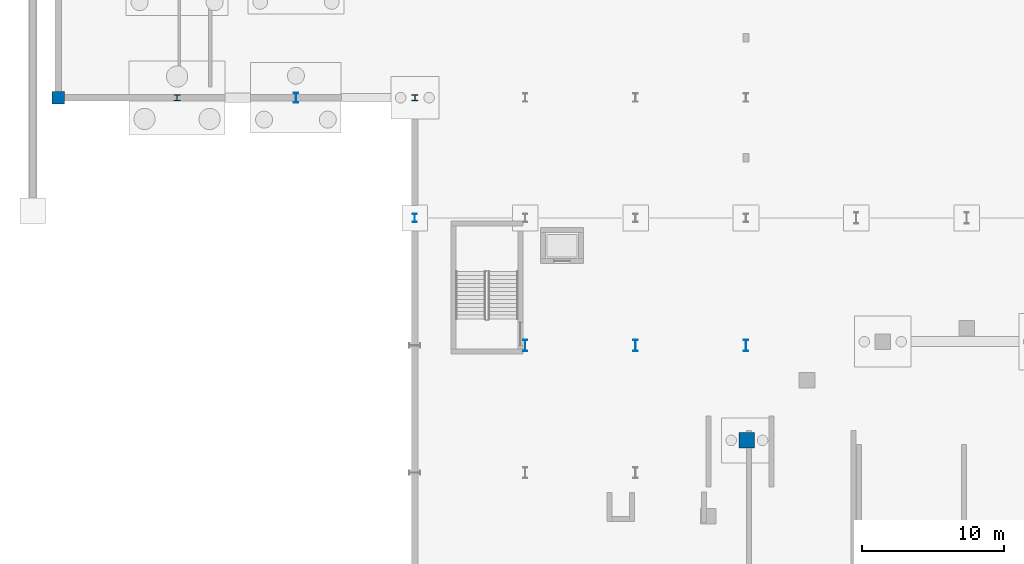
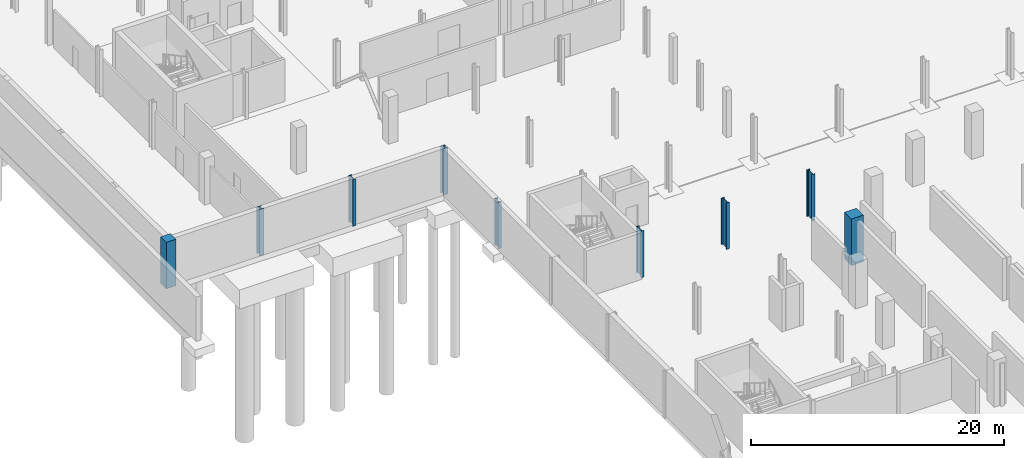
# One storey, part 5 of 45: 9 columns.
"""IFC4 building model written with IfcOpenShell, lengths in metres."""

from ifc_helpers import new_model, si_unit, direction, frame, origin, origin_2d, place, context, subcontext, project, spatial, rectangle, i_section, extrude, material, material_profile, profile_set, type_object, element, save


model = new_model("IFC4")

# Units and contexts
model_context = context("Model", 3, precision=1e-05, world=origin(), true_north=direction((0.0, 1.0)))
body_context = subcontext(model_context, "Body", "Model", "MODEL_VIEW")
ifc_project = project(units=[si_unit("LENGTHUNIT", "METRE"), si_unit("AREAUNIT", "SQUARE_METRE"), si_unit("VOLUMEUNIT", "CUBIC_METRE"), si_unit("PLANEANGLEUNIT", "RADIAN"), si_unit("MASSUNIT", "GRAM", prefix="KILO")], contexts=[model_context])

# Site, building, storey
site_placement = place(None, origin())
site = spatial("IfcSite", under=ifc_project, at=site_placement, CompositionType="ELEMENT")
building_placement = place(site_placement, origin())
building = spatial("IfcBuilding", under=site, at=building_placement, Name="Sefraquen Railside Congress Hotel", CompositionType="ELEMENT")
storey_placement = place(building_placement, frame((0.0, 0.0, -4.5)))
storey = spatial("IfcBuildingStorey", under=building, at=storey_placement, Name="B01", CompositionType="ELEMENT", Elevation=-4.5)

# Columns
ifc_material_1 = material(Name="Steel S355J2", Category="steel")
ifc_material_profile_1 = material_profile(ifc_material_1, i_section(OverallWidth=0.416015625, OverallDepth=0.446044921875, WebThickness=0.035888671875, FlangeThickness=0.048095703125, FilletRadius=0.014892578125, at=origin_2d()), Name="HD 400x509")
ifc_profile_set_1 = profile_set([ifc_material_profile_1], Name="Steel S355J2")
column_type_1 = type_object("IfcColumnType", Name="TC-HD-509", PredefinedType="COLUMN", material=ifc_profile_set_1)
for number, where, z_axis, x_axis, name in (
    (1, (8.39990234375, 62.5, 0.0), (0.0, 0.0, 1.0), (1.0, 0.0, 0.0), "Structural column 2-H B01"),
    (2, (25.199951171875, 62.5, 0.0), (0.0, 0.0, 1.0), (1.0, 0.0, 0.0), "Structural column 4-H B01"),
):
    element("IfcColumn", number, at=place(storey_placement, frame(where, z_axis=z_axis, x_axis=x_axis)), inside=storey, type_object=column_type_1, Name=name, PredefinedType="COLUMN", context=body_context, shape_type="SweptSolid", body=[
        extrude(i_section(OverallWidth=0.416015625, OverallDepth=0.446044921875, WebThickness=0.035888671875, FlangeThickness=0.048095703125, FilletRadius=0.014892578125, at=origin_2d()), origin(), (0.0, 0.0, 1.0), 4.5),
    ])
ifc_material_2 = material(Name="Steel S355JR", Category="steel")
ifc_material_profile_2 = material_profile(ifc_material_2, i_section(OverallWidth=0.300048828125, OverallDepth=0.60009765625, WebThickness=0.015380859375, FlangeThickness=0.030029296875, FilletRadius=0.027099609375, at=origin_2d()), Name="HEB 600")
ifc_profile_set_2 = profile_set([ifc_material_profile_2], Name="Steel S355JR")
column_type_2 = type_object("IfcColumnType", Name="TC-HEB-600", PredefinedType="COLUMN", material=ifc_profile_set_2)
column_1_placement = place(storey_placement, frame((25.199951171875, 54.0, 0.0), z_axis=(0.0, 0.0, 1.0), x_axis=(1.0, 0.0, 0.0)))
element("IfcColumn", 3, at=column_1_placement, inside=storey, type_object=column_type_2, Name="Structural column 4-G B01", PredefinedType="COLUMN", context=body_context, shape_type="SweptSolid", body=[
    extrude(i_section(OverallWidth=0.300048828125, OverallDepth=0.60009765625, WebThickness=0.015380859375, FlangeThickness=0.030029296875, FilletRadius=0.027099609375, at=origin_2d()), origin(), (0.0, 0.0, 1.0), 4.5),
])
ifc_material_profile_3 = material_profile(ifc_material_2, i_section(OverallWidth=0.300048828125, OverallDepth=0.699951171875, WebThickness=0.01708984375, FlangeThickness=0.031982421875, FilletRadius=0.027099609375, at=origin_2d()), Name="HEB 700")
ifc_profile_set_3 = profile_set([ifc_material_profile_3], Name="Steel S355JR")
column_type_3 = type_object("IfcColumnType", Name="TC-HEB-700", PredefinedType="COLUMN", material=ifc_profile_set_3)
column_2_placement = place(storey_placement, frame((16.800048828125, 62.5, 0.0), z_axis=(0.0, 0.0, 1.0), x_axis=(1.0, 0.0, 0.0)))
element("IfcColumn", 4, at=column_2_placement, inside=storey, type_object=column_type_3, Name="Structural column 3-H B01", PredefinedType="COLUMN", context=body_context, shape_type="SweptSolid", body=[
    extrude(i_section(OverallWidth=0.300048828125, OverallDepth=0.699951171875, WebThickness=0.01708984375, FlangeThickness=0.031982421875, FilletRadius=0.027099609375, at=origin_2d()), origin(), (0.0, 0.0, 1.0), 4.5),
])
ifc_material_profile_4 = material_profile(ifc_material_2, i_section(OverallWidth=0.300048828125, OverallDepth=0.800048828125, WebThickness=0.017578125, FlangeThickness=0.032958984375, FilletRadius=0.030029296875, at=origin_2d()), Name="HEB 800")
ifc_profile_set_4 = profile_set([ifc_material_profile_4], Name="Steel S355JR")
column_type_4 = type_object("IfcColumnType", Name="TC-HEB-800", PredefinedType="COLUMN", material=ifc_profile_set_4)
for number, where, z_axis, x_axis, name in (
    (5, (33.0, 45.0, 0.0), (0.0, 0.0, 1.0), (1.0, 0.0, 0.0), "Structural column 5-F B01"),
    (6, (40.800048828125, 45.0, 0.0), (0.0, 0.0, 1.0), (1.0, 0.0, 0.0), "Structural column 6-F B01"),
    (7, (48.60009765625, 45.0, 0.0), (0.0, 0.0, 1.0), (1.0, 0.0, 0.0), "Structural column 7-F B01"),
):
    element("IfcColumn", number, at=place(storey_placement, frame(where, z_axis=z_axis, x_axis=x_axis)), inside=storey, type_object=column_type_4, Name=name, PredefinedType="COLUMN", context=body_context, shape_type="SweptSolid", body=[
        extrude(i_section(OverallWidth=0.300048828125, OverallDepth=0.800048828125, WebThickness=0.017578125, FlangeThickness=0.032958984375, FilletRadius=0.030029296875, at=origin_2d()), origin(), (0.0, 0.0, 1.0), 4.5),
    ])
ifc_material_3 = material(Name="Concrete C50/60", Category="concrete")
ifc_material_profile_5 = material_profile(ifc_material_3, rectangle(XDim=1.10009765625, YDim=1.10009765625, at=origin_2d()), Name="RC 1100x1100")
ifc_profile_set_5 = profile_set([ifc_material_profile_5], Name="Concrete C50/60")
column_type_5 = type_object("IfcColumnType", Name="TC-RC-1100", PredefinedType="COLUMN", material=ifc_profile_set_5)
column_3_placement = place(storey_placement, frame((48.6669921875, 38.285400390625, 0.0), z_axis=(0.0, 0.0, 1.0), x_axis=(1.0, 0.0, 0.0)))
element("IfcColumn", 8, at=column_3_placement, inside=storey, type_object=column_type_5, Name="Structural column DRM-09 B01", PredefinedType="COLUMN", context=body_context, shape_type="SweptSolid", body=[
    extrude(rectangle(XDim=1.10009765625, YDim=1.10009765625, at=origin_2d()), origin(), (0.0, 0.0, 1.0), 4.5),
])
ifc_material_profile_6 = material_profile(ifc_material_3, rectangle(XDim=0.89990234375, YDim=0.89990234375, at=origin_2d()), Name="RC 900x900")
ifc_profile_set_6 = profile_set([ifc_material_profile_6], Name="Concrete C50/60")
column_type_6 = type_object("IfcColumnType", Name="TC-RC-900", PredefinedType="COLUMN", material=ifc_profile_set_6)
column_4_placement = place(storey_placement, frame((0.0, 62.5, 0.0), z_axis=(0.0, 0.0, 1.0), x_axis=(1.0, 0.0, 0.0)))
element("IfcColumn", 9, at=column_4_placement, inside=storey, type_object=column_type_6, Name="Structural column 1-H B01", PredefinedType="COLUMN", context=body_context, shape_type="SweptSolid", body=[
    extrude(rectangle(XDim=0.89990234375, YDim=0.89990234375, at=origin_2d()), origin(), (0.0, 0.0, 1.0), 4.5),
])

save(model, "model.ifc")
